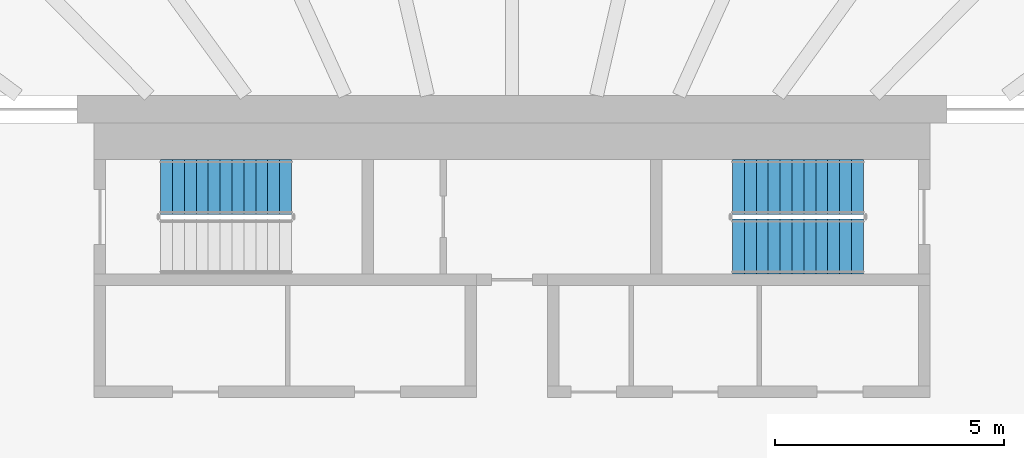
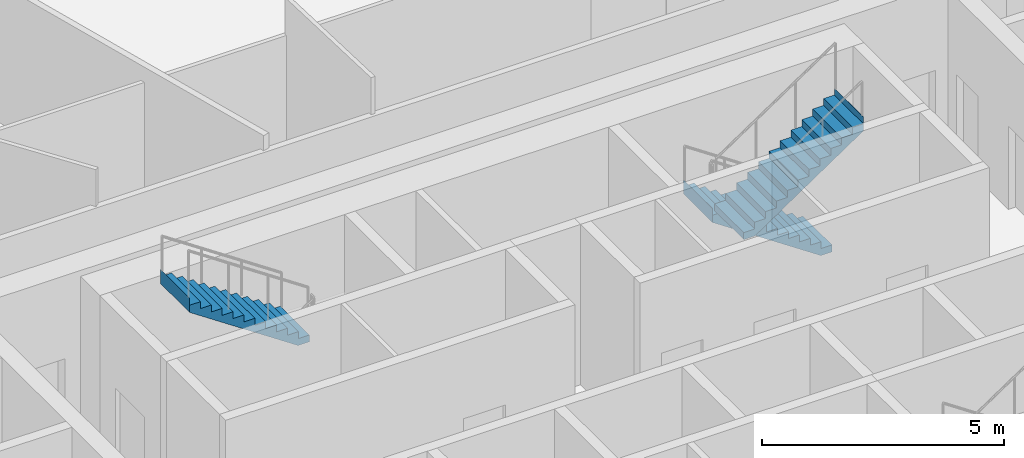
# One storey, part 19 of 25: 3 stair flights, 2 elements without a shape of their own.
"""IFC4 building model written with IfcOpenShell, lengths in metres."""

from ifc_helpers import new_model, si_unit, direction, frame, origin, place, context, subcontext, project, spatial, triangles, material, type_object, element, aggregate, save


model = new_model("IFC4")

# Units and contexts
model_context = context("Model", 3, precision=1e-05, world=origin(), true_north=direction((0.0, 1.0)))
body_context = subcontext(model_context, "Body", "Model", "MODEL_VIEW")
ifc_project = project(units=[si_unit("LENGTHUNIT", "METRE"), si_unit("AREAUNIT", "SQUARE_METRE"), si_unit("VOLUMEUNIT", "CUBIC_METRE"), si_unit("PLANEANGLEUNIT", "RADIAN"), si_unit("MASSUNIT", "GRAM", prefix="KILO")], contexts=[model_context])

# Site, building, storey
site_placement = place(None, origin())
site = spatial("IfcSite", under=ifc_project, at=site_placement, CompositionType="ELEMENT")
building_placement = place(site_placement, origin())
building = spatial("IfcBuilding", under=site, at=building_placement, Name="Sahrelin Media Tower", CompositionType="ELEMENT")
storey_placement = place(building_placement, frame((0.0, 0.0, 106.199951171875)))
storey = spatial("IfcBuildingStorey", under=building, at=storey_placement, Name="L20", CompositionType="ELEMENT", Elevation=106.199951171875)

# Stair, stair flight
ifc_material = material(Name="Concrete C40/50", Category="concrete")
stair_type = type_object("IfcStairType", Name="Exit stair 1200", PredefinedType="HALF_TURN_STAIR", material=ifc_material)
placement = place(storey_placement, origin())
stair_1 = element("IfcStair", 1, at=placement, inside=storey, type_object=stair_type, Name="L20 Exit stair ST1", PredefinedType="HALF_TURN_STAIR")
stair_flight_type = type_object("IfcStairFlightType", Name="Stair flight 1200", PredefinedType="STRAIGHT", material=ifc_material)
stair_flight_1_placement = place(storey_placement, frame((-4.81494140625, 6.0, 2.10009765625), z_axis=(0.0, 0.0, 1.0), x_axis=(-1.0, 0.0, 0.0)))
stair_flight_1 = element("IfcStairFlight", 2, at=stair_flight_1_placement, type_object=stair_flight_type, Name="ST1 flight 2", NumberOfRisers=12, NumberOfTreads=11, PredefinedType="STRAIGHT", RiserHeight=0.175, TreadLength=0.26, context=body_context, shape_type="Tessellation", body=[
    triangles([(0.2685546875, 0.60009765625, 0.0), (0.2685546875, 0.300048828125, 0.0), (0.2685546875, 0.0, 0.0), (0.2685546875, -0.300048828125, 0.0), (0.2685546875, -0.60009765625, 0.0), (2.860107421875, 0.60009765625, 1.744384765625), (2.860107421875, 0.300048828125, 1.744384765625), (2.860107421875, 0.0, 1.744384765625), (2.860107421875, -0.300048828125, 1.744384765625), (2.860107421875, -0.60009765625, 1.744384765625), (2.860107421875, 0.60009765625, 2.10009765625), (2.860107421875, 0.300048828125, 2.10009765625), (2.860107421875, 0.0, 2.10009765625), (2.860107421875, -0.300048828125, 2.10009765625), (2.860107421875, -0.60009765625, 2.10009765625), (2.85791015625, 0.60009765625, 2.10009765625), (2.85791015625, 0.300048828125, 2.10009765625), (2.85791015625, 0.0, 2.10009765625), (2.85791015625, -0.300048828125, 2.10009765625), (2.85791015625, -0.60009765625, 2.10009765625), (2.85791015625, 0.60009765625, 1.925048828125), (2.85791015625, 0.300048828125, 1.925048828125), (2.85791015625, 0.0, 1.925048828125), (2.85791015625, -0.300048828125, 1.925048828125), (2.85791015625, -0.60009765625, 1.925048828125), (2.60009765625, 0.60009765625, 1.925048828125), (2.60009765625, 0.300048828125, 1.925048828125), (2.60009765625, 0.0, 1.925048828125), (2.60009765625, -0.300048828125, 1.925048828125), (2.60009765625, -0.60009765625, 1.925048828125), (2.60009765625, 0.60009765625, 1.75), (2.60009765625, 0.300048828125, 1.75), (2.60009765625, 0.0, 1.75), (2.60009765625, -0.300048828125, 1.75), (2.60009765625, -0.60009765625, 1.75), (2.340087890625, 0.60009765625, 1.75), (2.340087890625, 0.300048828125, 1.75), (2.340087890625, 0.0, 1.75), (2.340087890625, -0.300048828125, 1.75), (2.340087890625, -0.60009765625, 1.75), (2.340087890625, 0.60009765625, 1.574951171875), (2.340087890625, 0.300048828125, 1.574951171875), (2.340087890625, 0.0, 1.574951171875), (2.340087890625, -0.300048828125, 1.574951171875), (2.340087890625, -0.60009765625, 1.574951171875), (2.080078125, 0.60009765625, 1.574951171875), (2.080078125, 0.300048828125, 1.574951171875), (2.080078125, 0.0, 1.574951171875), (2.080078125, -0.300048828125, 1.574951171875), (2.080078125, -0.60009765625, 1.574951171875), (2.080078125, 0.60009765625, 1.39990234375), (2.080078125, 0.300048828125, 1.39990234375), (2.080078125, 0.0, 1.39990234375), (2.080078125, -0.300048828125, 1.39990234375), (2.080078125, -0.60009765625, 1.39990234375), (1.820068359375, 0.60009765625, 1.39990234375), (1.820068359375, 0.300048828125, 1.39990234375), (1.820068359375, 0.0, 1.39990234375), (1.820068359375, -0.300048828125, 1.39990234375), (1.820068359375, -0.60009765625, 1.39990234375), (1.820068359375, 0.60009765625, 1.22509765625), (1.820068359375, 0.300048828125, 1.22509765625), (1.820068359375, 0.0, 1.22509765625), (1.820068359375, -0.300048828125, 1.22509765625), (1.820068359375, -0.60009765625, 1.22509765625), (1.56005859375, 0.60009765625, 1.22509765625), (1.56005859375, 0.300048828125, 1.22509765625), (1.56005859375, 0.0, 1.22509765625), (1.56005859375, -0.300048828125, 1.22509765625), (1.56005859375, -0.60009765625, 1.22509765625), (1.56005859375, 0.60009765625, 1.050048828125), (1.56005859375, 0.300048828125, 1.050048828125), (1.56005859375, 0.0, 1.050048828125), (1.56005859375, -0.300048828125, 1.050048828125), (1.56005859375, -0.60009765625, 1.050048828125), (1.300048828125, 0.60009765625, 1.050048828125), (1.300048828125, 0.300048828125, 1.050048828125), (1.300048828125, 0.0, 1.050048828125), (1.300048828125, -0.300048828125, 1.050048828125), (1.300048828125, -0.60009765625, 1.050048828125), (1.300048828125, 0.60009765625, 0.875), (1.300048828125, 0.300048828125, 0.875), (1.300048828125, 0.0, 0.875), (1.300048828125, -0.300048828125, 0.875), (1.300048828125, -0.60009765625, 0.875), (1.0400390625, 0.60009765625, 0.875), (1.0400390625, 0.300048828125, 0.875), (1.0400390625, 0.0, 0.875), (1.0400390625, -0.300048828125, 0.875), (1.0400390625, -0.60009765625, 0.875), (1.0400390625, 0.60009765625, 0.699951171875), (1.0400390625, 0.300048828125, 0.699951171875), (1.0400390625, 0.0, 0.699951171875), (1.0400390625, -0.300048828125, 0.699951171875), (1.0400390625, -0.60009765625, 0.699951171875), (0.780029296875, 0.60009765625, 0.699951171875), (0.780029296875, 0.300048828125, 0.699951171875), (0.780029296875, 0.0, 0.699951171875), (0.780029296875, -0.300048828125, 0.699951171875), (0.780029296875, -0.60009765625, 0.699951171875), (0.780029296875, 0.60009765625, 0.52490234375), (0.780029296875, 0.300048828125, 0.52490234375), (0.780029296875, 0.0, 0.52490234375), (0.780029296875, -0.300048828125, 0.52490234375), (0.780029296875, -0.60009765625, 0.52490234375), (0.52001953125, 0.60009765625, 0.52490234375), (0.52001953125, 0.300048828125, 0.52490234375), (0.52001953125, 0.0, 0.52490234375), (0.52001953125, -0.300048828125, 0.52490234375), (0.52001953125, -0.60009765625, 0.52490234375), (0.52001953125, 0.60009765625, 0.35009765625), (0.52001953125, 0.300048828125, 0.35009765625), (0.52001953125, 0.0, 0.35009765625), (0.52001953125, -0.300048828125, 0.35009765625), (0.52001953125, -0.60009765625, 0.35009765625), (0.260009765625, 0.60009765625, 0.35009765625), (0.260009765625, 0.300048828125, 0.35009765625), (0.260009765625, 0.0, 0.35009765625), (0.260009765625, -0.300048828125, 0.35009765625), (0.260009765625, -0.60009765625, 0.35009765625), (0.260009765625, 0.60009765625, 0.175048828125), (0.260009765625, 0.300048828125, 0.175048828125), (0.260009765625, 0.0, 0.175048828125), (0.260009765625, -0.300048828125, 0.175048828125), (0.260009765625, -0.60009765625, 0.175048828125), (0.0, 0.60009765625, 0.175048828125), (0.0, 0.300048828125, 0.175048828125), (0.0, 0.0, 0.175048828125), (0.0, -0.300048828125, 0.175048828125), (0.0, -0.60009765625, 0.175048828125), (0.0, 0.60009765625, 0.0), (0.0, 0.300048828125, 0.0), (0.0, 0.0, 0.0), (0.0, -0.300048828125, 0.0), (0.0, -0.60009765625, 0.0)], [[1, 6, 7], [1, 7, 2], [2, 7, 8], [2, 8, 3], [3, 8, 9], [3, 9, 4], [4, 9, 10], [4, 10, 5], [6, 11, 12], [6, 12, 7], [7, 12, 13], [7, 13, 8], [8, 13, 14], [8, 14, 9], [9, 14, 15], [9, 15, 10], [11, 16, 17], [11, 17, 12], [12, 17, 18], [12, 18, 13], [13, 18, 19], [13, 19, 14], [14, 19, 20], [14, 20, 15], [16, 21, 22], [16, 22, 17], [17, 22, 23], [17, 23, 18], [18, 23, 24], [18, 24, 19], [19, 24, 25], [19, 25, 20], [21, 26, 27], [21, 27, 22], [22, 27, 28], [22, 28, 23], [23, 28, 29], [23, 29, 24], [24, 29, 30], [24, 30, 25], [26, 31, 32], [26, 32, 27], [27, 32, 33], [27, 33, 28], [28, 33, 34], [28, 34, 29], [29, 34, 35], [29, 35, 30], [31, 36, 37], [31, 37, 32], [32, 37, 38], [32, 38, 33], [33, 38, 39], [33, 39, 34], [34, 39, 40], [34, 40, 35], [36, 41, 42], [36, 42, 37], [37, 42, 43], [37, 43, 38], [38, 43, 44], [38, 44, 39], [39, 44, 45], [39, 45, 40], [41, 46, 47], [41, 47, 42], [42, 47, 48], [42, 48, 43], [43, 48, 49], [43, 49, 44], [44, 49, 50], [44, 50, 45], [46, 51, 52], [46, 52, 47], [47, 52, 53], [47, 53, 48], [48, 53, 54], [48, 54, 49], [49, 54, 55], [49, 55, 50], [51, 56, 57], [51, 57, 52], [52, 57, 58], [52, 58, 53], [53, 58, 59], [53, 59, 54], [54, 59, 60], [54, 60, 55], [56, 61, 62], [56, 62, 57], [57, 62, 63], [57, 63, 58], [58, 63, 64], [58, 64, 59], [59, 64, 65], [59, 65, 60], [61, 66, 67], [61, 67, 62], [62, 67, 68], [62, 68, 63], [63, 68, 69], [63, 69, 64], [64, 69, 70], [64, 70, 65], [66, 71, 72], [66, 72, 67], [67, 72, 73], [67, 73, 68], [68, 73, 74], [68, 74, 69], [69, 74, 75], [69, 75, 70], [71, 76, 77], [71, 77, 72], [72, 77, 78], [72, 78, 73], [73, 78, 79], [73, 79, 74], [74, 79, 80], [74, 80, 75], [76, 81, 82], [76, 82, 77], [77, 82, 83], [77, 83, 78], [78, 83, 84], [78, 84, 79], [79, 84, 85], [79, 85, 80], [81, 86, 87], [81, 87, 82], [82, 87, 88], [82, 88, 83], [83, 88, 89], [83, 89, 84], [84, 89, 90], [84, 90, 85], [86, 91, 92], [86, 92, 87], [87, 92, 93], [87, 93, 88], [88, 93, 94], [88, 94, 89], [89, 94, 95], [89, 95, 90], [91, 96, 97], [91, 97, 92], [92, 97, 98], [92, 98, 93], [93, 98, 99], [93, 99, 94], [94, 99, 100], [94, 100, 95], [96, 101, 102], [96, 102, 97], [97, 102, 103], [97, 103, 98], [98, 103, 104], [98, 104, 99], [99, 104, 105], [99, 105, 100], [101, 106, 107], [101, 107, 102], [102, 107, 108], [102, 108, 103], [103, 108, 109], [103, 109, 104], [104, 109, 110], [104, 110, 105], [106, 111, 112], [106, 112, 107], [107, 112, 113], [107, 113, 108], [108, 113, 114], [108, 114, 109], [109, 114, 115], [109, 115, 110], [111, 116, 117], [111, 117, 112], [112, 117, 118], [112, 118, 113], [113, 118, 119], [113, 119, 114], [114, 119, 120], [114, 120, 115], [116, 121, 122], [116, 122, 117], [117, 122, 123], [117, 123, 118], [118, 123, 124], [118, 124, 119], [119, 124, 125], [119, 125, 120], [121, 126, 127], [121, 127, 122], [122, 127, 128], [122, 128, 123], [123, 128, 129], [123, 129, 124], [124, 129, 130], [124, 130, 125], [126, 131, 132], [126, 132, 127], [127, 132, 133], [127, 133, 128], [128, 133, 134], [128, 134, 129], [129, 134, 135], [129, 135, 130], [131, 1, 2], [131, 2, 132], [132, 2, 3], [132, 3, 133], [133, 3, 4], [133, 4, 134], [134, 4, 5], [134, 5, 135], [125, 130, 135], [121, 131, 126], [125, 115, 120], [121, 116, 111], [115, 105, 110], [111, 106, 101], [105, 95, 100], [101, 96, 91], [95, 85, 90], [91, 86, 81], [85, 75, 80], [81, 76, 71], [75, 65, 70], [71, 66, 61], [65, 55, 60], [61, 56, 51], [55, 45, 50], [51, 46, 41], [45, 35, 40], [41, 36, 31], [35, 25, 30], [31, 26, 21], [25, 15, 20], [21, 16, 11], [135, 5, 125], [131, 121, 1], [95, 105, 5], [91, 1, 101], [5, 10, 75], [1, 71, 6], [10, 35, 45], [6, 41, 31], [25, 10, 15], [21, 11, 6], [115, 125, 5], [111, 1, 121], [75, 85, 5], [71, 1, 81], [35, 10, 25], [31, 21, 6], [105, 115, 5], [101, 1, 111], [45, 55, 10], [41, 6, 51], [85, 95, 5], [81, 1, 91], [65, 10, 55], [61, 51, 6], [10, 65, 75], [6, 71, 61]], closed=True),
])
aggregate(stair_1, [stair_flight_1])

# Stair, stair flights
stair_2 = element("IfcStair", 3, at=placement, inside=storey, type_object=stair_type, Name="L20 Exit stair ST3", PredefinedType="HALF_TURN_STAIR")
stair_flight_2_placement = place(storey_placement, frame((7.675048828125, 6.0, 0.0), z_axis=(0.0, 0.0, 1.0), x_axis=(-1.0, 0.0, 0.0)))
stair_flight_2 = element("IfcStairFlight", 4, at=stair_flight_2_placement, type_object=stair_flight_type, Name="ST3 flight 1", NumberOfRisers=12, NumberOfTreads=11, PredefinedType="STRAIGHT", RiserHeight=0.175, TreadLength=0.26, context=body_context, shape_type="Tessellation", body=[
    triangles([(0.2685546875, 0.60009765625, 0.0), (0.2685546875, 0.300048828125, 0.0), (0.2685546875, 0.0, 0.0), (0.2685546875, -0.300048828125, 0.0), (0.2685546875, -0.60009765625, 0.0), (2.860107421875, 0.60009765625, 1.744384765625), (2.860107421875, 0.300048828125, 1.744384765625), (2.860107421875, 0.0, 1.744384765625), (2.860107421875, -0.300048828125, 1.744384765625), (2.860107421875, -0.60009765625, 1.744384765625), (2.860107421875, 0.60009765625, 2.10009765625), (2.860107421875, 0.300048828125, 2.10009765625), (2.860107421875, 0.0, 2.10009765625), (2.860107421875, -0.300048828125, 2.10009765625), (2.860107421875, -0.60009765625, 2.10009765625), (2.85791015625, 0.60009765625, 2.10009765625), (2.85791015625, 0.300048828125, 2.10009765625), (2.85791015625, 0.0, 2.10009765625), (2.85791015625, -0.300048828125, 2.10009765625), (2.85791015625, -0.60009765625, 2.10009765625), (2.85791015625, 0.60009765625, 1.925048828125), (2.85791015625, 0.300048828125, 1.925048828125), (2.85791015625, 0.0, 1.925048828125), (2.85791015625, -0.300048828125, 1.925048828125), (2.85791015625, -0.60009765625, 1.925048828125), (2.60009765625, 0.60009765625, 1.925048828125), (2.60009765625, 0.300048828125, 1.925048828125), (2.60009765625, 0.0, 1.925048828125), (2.60009765625, -0.300048828125, 1.925048828125), (2.60009765625, -0.60009765625, 1.925048828125), (2.60009765625, 0.60009765625, 1.75), (2.60009765625, 0.300048828125, 1.75), (2.60009765625, 0.0, 1.75), (2.60009765625, -0.300048828125, 1.75), (2.60009765625, -0.60009765625, 1.75), (2.340087890625, 0.60009765625, 1.75), (2.340087890625, 0.300048828125, 1.75), (2.340087890625, 0.0, 1.75), (2.340087890625, -0.300048828125, 1.75), (2.340087890625, -0.60009765625, 1.75), (2.340087890625, 0.60009765625, 1.574951171875), (2.340087890625, 0.300048828125, 1.574951171875), (2.340087890625, 0.0, 1.574951171875), (2.340087890625, -0.300048828125, 1.574951171875), (2.340087890625, -0.60009765625, 1.574951171875), (2.080078125, 0.60009765625, 1.574951171875), (2.080078125, 0.300048828125, 1.574951171875), (2.080078125, 0.0, 1.574951171875), (2.080078125, -0.300048828125, 1.574951171875), (2.080078125, -0.60009765625, 1.574951171875), (2.080078125, 0.60009765625, 1.39990234375), (2.080078125, 0.300048828125, 1.39990234375), (2.080078125, 0.0, 1.39990234375), (2.080078125, -0.300048828125, 1.39990234375), (2.080078125, -0.60009765625, 1.39990234375), (1.820068359375, 0.60009765625, 1.39990234375), (1.820068359375, 0.300048828125, 1.39990234375), (1.820068359375, 0.0, 1.39990234375), (1.820068359375, -0.300048828125, 1.39990234375), (1.820068359375, -0.60009765625, 1.39990234375), (1.820068359375, 0.60009765625, 1.22509765625), (1.820068359375, 0.300048828125, 1.22509765625), (1.820068359375, 0.0, 1.22509765625), (1.820068359375, -0.300048828125, 1.22509765625), (1.820068359375, -0.60009765625, 1.22509765625), (1.56005859375, 0.60009765625, 1.22509765625), (1.56005859375, 0.300048828125, 1.22509765625), (1.56005859375, 0.0, 1.22509765625), (1.56005859375, -0.300048828125, 1.22509765625), (1.56005859375, -0.60009765625, 1.22509765625), (1.56005859375, 0.60009765625, 1.050048828125), (1.56005859375, 0.300048828125, 1.050048828125), (1.56005859375, 0.0, 1.050048828125), (1.56005859375, -0.300048828125, 1.050048828125), (1.56005859375, -0.60009765625, 1.050048828125), (1.300048828125, 0.60009765625, 1.050048828125), (1.300048828125, 0.300048828125, 1.050048828125), (1.300048828125, 0.0, 1.050048828125), (1.300048828125, -0.300048828125, 1.050048828125), (1.300048828125, -0.60009765625, 1.050048828125), (1.300048828125, 0.60009765625, 0.875), (1.300048828125, 0.300048828125, 0.875), (1.300048828125, 0.0, 0.875), (1.300048828125, -0.300048828125, 0.875), (1.300048828125, -0.60009765625, 0.875), (1.0400390625, 0.60009765625, 0.875), (1.0400390625, 0.300048828125, 0.875), (1.0400390625, 0.0, 0.875), (1.0400390625, -0.300048828125, 0.875), (1.0400390625, -0.60009765625, 0.875), (1.0400390625, 0.60009765625, 0.699951171875), (1.0400390625, 0.300048828125, 0.699951171875), (1.0400390625, 0.0, 0.699951171875), (1.0400390625, -0.300048828125, 0.699951171875), (1.0400390625, -0.60009765625, 0.699951171875), (0.780029296875, 0.60009765625, 0.699951171875), (0.780029296875, 0.300048828125, 0.699951171875), (0.780029296875, 0.0, 0.699951171875), (0.780029296875, -0.300048828125, 0.699951171875), (0.780029296875, -0.60009765625, 0.699951171875), (0.780029296875, 0.60009765625, 0.52490234375), (0.780029296875, 0.300048828125, 0.52490234375), (0.780029296875, 0.0, 0.52490234375), (0.780029296875, -0.300048828125, 0.52490234375), (0.780029296875, -0.60009765625, 0.52490234375), (0.52001953125, 0.60009765625, 0.52490234375), (0.52001953125, 0.300048828125, 0.52490234375), (0.52001953125, 0.0, 0.52490234375), (0.52001953125, -0.300048828125, 0.52490234375), (0.52001953125, -0.60009765625, 0.52490234375), (0.52001953125, 0.60009765625, 0.35009765625), (0.52001953125, 0.300048828125, 0.35009765625), (0.52001953125, 0.0, 0.35009765625), (0.52001953125, -0.300048828125, 0.35009765625), (0.52001953125, -0.60009765625, 0.35009765625), (0.260009765625, 0.60009765625, 0.35009765625), (0.260009765625, 0.300048828125, 0.35009765625), (0.260009765625, 0.0, 0.35009765625), (0.260009765625, -0.300048828125, 0.35009765625), (0.260009765625, -0.60009765625, 0.35009765625), (0.260009765625, 0.60009765625, 0.175048828125), (0.260009765625, 0.300048828125, 0.175048828125), (0.260009765625, 0.0, 0.175048828125), (0.260009765625, -0.300048828125, 0.175048828125), (0.260009765625, -0.60009765625, 0.175048828125), (0.0, 0.60009765625, 0.175048828125), (0.0, 0.300048828125, 0.175048828125), (0.0, 0.0, 0.175048828125), (0.0, -0.300048828125, 0.175048828125), (0.0, -0.60009765625, 0.175048828125), (0.0, 0.60009765625, 0.0), (0.0, 0.300048828125, 0.0), (0.0, 0.0, 0.0), (0.0, -0.300048828125, 0.0), (0.0, -0.60009765625, 0.0)], [[1, 6, 7], [1, 7, 2], [2, 7, 8], [2, 8, 3], [3, 8, 9], [3, 9, 4], [4, 9, 10], [4, 10, 5], [6, 11, 12], [6, 12, 7], [7, 12, 13], [7, 13, 8], [8, 13, 14], [8, 14, 9], [9, 14, 15], [9, 15, 10], [11, 16, 17], [11, 17, 12], [12, 17, 18], [12, 18, 13], [13, 18, 19], [13, 19, 14], [14, 19, 20], [14, 20, 15], [16, 21, 22], [16, 22, 17], [17, 22, 23], [17, 23, 18], [18, 23, 24], [18, 24, 19], [19, 24, 25], [19, 25, 20], [21, 26, 27], [21, 27, 22], [22, 27, 28], [22, 28, 23], [23, 28, 29], [23, 29, 24], [24, 29, 30], [24, 30, 25], [26, 31, 32], [26, 32, 27], [27, 32, 33], [27, 33, 28], [28, 33, 34], [28, 34, 29], [29, 34, 35], [29, 35, 30], [31, 36, 37], [31, 37, 32], [32, 37, 38], [32, 38, 33], [33, 38, 39], [33, 39, 34], [34, 39, 40], [34, 40, 35], [36, 41, 42], [36, 42, 37], [37, 42, 43], [37, 43, 38], [38, 43, 44], [38, 44, 39], [39, 44, 45], [39, 45, 40], [41, 46, 47], [41, 47, 42], [42, 47, 48], [42, 48, 43], [43, 48, 49], [43, 49, 44], [44, 49, 50], [44, 50, 45], [46, 51, 52], [46, 52, 47], [47, 52, 53], [47, 53, 48], [48, 53, 54], [48, 54, 49], [49, 54, 55], [49, 55, 50], [51, 56, 57], [51, 57, 52], [52, 57, 58], [52, 58, 53], [53, 58, 59], [53, 59, 54], [54, 59, 60], [54, 60, 55], [56, 61, 62], [56, 62, 57], [57, 62, 63], [57, 63, 58], [58, 63, 64], [58, 64, 59], [59, 64, 65], [59, 65, 60], [61, 66, 67], [61, 67, 62], [62, 67, 68], [62, 68, 63], [63, 68, 69], [63, 69, 64], [64, 69, 70], [64, 70, 65], [66, 71, 72], [66, 72, 67], [67, 72, 73], [67, 73, 68], [68, 73, 74], [68, 74, 69], [69, 74, 75], [69, 75, 70], [71, 76, 77], [71, 77, 72], [72, 77, 78], [72, 78, 73], [73, 78, 79], [73, 79, 74], [74, 79, 80], [74, 80, 75], [76, 81, 82], [76, 82, 77], [77, 82, 83], [77, 83, 78], [78, 83, 84], [78, 84, 79], [79, 84, 85], [79, 85, 80], [81, 86, 87], [81, 87, 82], [82, 87, 88], [82, 88, 83], [83, 88, 89], [83, 89, 84], [84, 89, 90], [84, 90, 85], [86, 91, 92], [86, 92, 87], [87, 92, 93], [87, 93, 88], [88, 93, 94], [88, 94, 89], [89, 94, 95], [89, 95, 90], [91, 96, 97], [91, 97, 92], [92, 97, 98], [92, 98, 93], [93, 98, 99], [93, 99, 94], [94, 99, 100], [94, 100, 95], [96, 101, 102], [96, 102, 97], [97, 102, 103], [97, 103, 98], [98, 103, 104], [98, 104, 99], [99, 104, 105], [99, 105, 100], [101, 106, 107], [101, 107, 102], [102, 107, 108], [102, 108, 103], [103, 108, 109], [103, 109, 104], [104, 109, 110], [104, 110, 105], [106, 111, 112], [106, 112, 107], [107, 112, 113], [107, 113, 108], [108, 113, 114], [108, 114, 109], [109, 114, 115], [109, 115, 110], [111, 116, 117], [111, 117, 112], [112, 117, 118], [112, 118, 113], [113, 118, 119], [113, 119, 114], [114, 119, 120], [114, 120, 115], [116, 121, 122], [116, 122, 117], [117, 122, 123], [117, 123, 118], [118, 123, 124], [118, 124, 119], [119, 124, 125], [119, 125, 120], [121, 126, 127], [121, 127, 122], [122, 127, 128], [122, 128, 123], [123, 128, 129], [123, 129, 124], [124, 129, 130], [124, 130, 125], [126, 131, 132], [126, 132, 127], [127, 132, 133], [127, 133, 128], [128, 133, 134], [128, 134, 129], [129, 134, 135], [129, 135, 130], [131, 1, 2], [131, 2, 132], [132, 2, 3], [132, 3, 133], [133, 3, 4], [133, 4, 134], [134, 4, 5], [134, 5, 135], [125, 130, 135], [121, 131, 126], [125, 115, 120], [121, 116, 111], [115, 105, 110], [111, 106, 101], [105, 95, 100], [101, 96, 91], [95, 85, 90], [91, 86, 81], [85, 75, 80], [81, 76, 71], [75, 65, 70], [71, 66, 61], [65, 55, 60], [61, 56, 51], [55, 45, 50], [51, 46, 41], [45, 35, 40], [41, 36, 31], [35, 25, 30], [31, 26, 21], [25, 15, 20], [21, 16, 11], [135, 5, 125], [131, 121, 1], [95, 105, 5], [91, 1, 101], [5, 10, 75], [1, 71, 6], [10, 35, 45], [6, 41, 31], [25, 10, 15], [21, 11, 6], [115, 125, 5], [111, 1, 121], [75, 85, 5], [71, 1, 81], [35, 10, 25], [31, 21, 6], [105, 115, 5], [101, 1, 111], [45, 55, 10], [41, 6, 51], [85, 95, 5], [81, 1, 91], [65, 10, 55], [61, 51, 6], [10, 65, 75], [6, 71, 61]], closed=True),
])
stair_flight_3_placement = place(storey_placement, frame((4.81494140625, 4.699951171875, 2.10009765625), z_axis=(0.0, 0.0, 1.0), x_axis=(1.0, 0.0, 0.0)))
stair_flight_3 = element("IfcStairFlight", 5, at=stair_flight_3_placement, type_object=stair_flight_type, Name="ST3 flight 2", NumberOfRisers=12, NumberOfTreads=11, PredefinedType="STRAIGHT", RiserHeight=0.175, TreadLength=0.26, context=body_context, shape_type="Tessellation", body=[
    triangles([(0.2685546875, 0.60009765625, 0.0), (0.2685546875, 0.300048828125, 0.0), (0.2685546875, 0.0, 0.0), (0.2685546875, -0.300048828125, 0.0), (0.2685546875, -0.60009765625, 0.0), (2.860107421875, 0.60009765625, 1.744384765625), (2.860107421875, 0.300048828125, 1.744384765625), (2.860107421875, 0.0, 1.744384765625), (2.860107421875, -0.300048828125, 1.744384765625), (2.860107421875, -0.60009765625, 1.744384765625), (2.860107421875, 0.60009765625, 2.10009765625), (2.860107421875, 0.300048828125, 2.10009765625), (2.860107421875, 0.0, 2.10009765625), (2.860107421875, -0.300048828125, 2.10009765625), (2.860107421875, -0.60009765625, 2.10009765625), (2.85791015625, 0.60009765625, 2.10009765625), (2.85791015625, 0.300048828125, 2.10009765625), (2.85791015625, 0.0, 2.10009765625), (2.85791015625, -0.300048828125, 2.10009765625), (2.85791015625, -0.60009765625, 2.10009765625), (2.85791015625, 0.60009765625, 1.925048828125), (2.85791015625, 0.300048828125, 1.925048828125), (2.85791015625, 0.0, 1.925048828125), (2.85791015625, -0.300048828125, 1.925048828125), (2.85791015625, -0.60009765625, 1.925048828125), (2.60009765625, 0.60009765625, 1.925048828125), (2.60009765625, 0.300048828125, 1.925048828125), (2.60009765625, 0.0, 1.925048828125), (2.60009765625, -0.300048828125, 1.925048828125), (2.60009765625, -0.60009765625, 1.925048828125), (2.60009765625, 0.60009765625, 1.75), (2.60009765625, 0.300048828125, 1.75), (2.60009765625, 0.0, 1.75), (2.60009765625, -0.300048828125, 1.75), (2.60009765625, -0.60009765625, 1.75), (2.340087890625, 0.60009765625, 1.75), (2.340087890625, 0.300048828125, 1.75), (2.340087890625, 0.0, 1.75), (2.340087890625, -0.300048828125, 1.75), (2.340087890625, -0.60009765625, 1.75), (2.340087890625, 0.60009765625, 1.574951171875), (2.340087890625, 0.300048828125, 1.574951171875), (2.340087890625, 0.0, 1.574951171875), (2.340087890625, -0.300048828125, 1.574951171875), (2.340087890625, -0.60009765625, 1.574951171875), (2.080078125, 0.60009765625, 1.574951171875), (2.080078125, 0.300048828125, 1.574951171875), (2.080078125, 0.0, 1.574951171875), (2.080078125, -0.300048828125, 1.574951171875), (2.080078125, -0.60009765625, 1.574951171875), (2.080078125, 0.60009765625, 1.39990234375), (2.080078125, 0.300048828125, 1.39990234375), (2.080078125, 0.0, 1.39990234375), (2.080078125, -0.300048828125, 1.39990234375), (2.080078125, -0.60009765625, 1.39990234375), (1.820068359375, 0.60009765625, 1.39990234375), (1.820068359375, 0.300048828125, 1.39990234375), (1.820068359375, 0.0, 1.39990234375), (1.820068359375, -0.300048828125, 1.39990234375), (1.820068359375, -0.60009765625, 1.39990234375), (1.820068359375, 0.60009765625, 1.22509765625), (1.820068359375, 0.300048828125, 1.22509765625), (1.820068359375, 0.0, 1.22509765625), (1.820068359375, -0.300048828125, 1.22509765625), (1.820068359375, -0.60009765625, 1.22509765625), (1.56005859375, 0.60009765625, 1.22509765625), (1.56005859375, 0.300048828125, 1.22509765625), (1.56005859375, 0.0, 1.22509765625), (1.56005859375, -0.300048828125, 1.22509765625), (1.56005859375, -0.60009765625, 1.22509765625), (1.56005859375, 0.60009765625, 1.050048828125), (1.56005859375, 0.300048828125, 1.050048828125), (1.56005859375, 0.0, 1.050048828125), (1.56005859375, -0.300048828125, 1.050048828125), (1.56005859375, -0.60009765625, 1.050048828125), (1.300048828125, 0.60009765625, 1.050048828125), (1.300048828125, 0.300048828125, 1.050048828125), (1.300048828125, 0.0, 1.050048828125), (1.300048828125, -0.300048828125, 1.050048828125), (1.300048828125, -0.60009765625, 1.050048828125), (1.300048828125, 0.60009765625, 0.875), (1.300048828125, 0.300048828125, 0.875), (1.300048828125, 0.0, 0.875), (1.300048828125, -0.300048828125, 0.875), (1.300048828125, -0.60009765625, 0.875), (1.0400390625, 0.60009765625, 0.875), (1.0400390625, 0.300048828125, 0.875), (1.0400390625, 0.0, 0.875), (1.0400390625, -0.300048828125, 0.875), (1.0400390625, -0.60009765625, 0.875), (1.0400390625, 0.60009765625, 0.699951171875), (1.0400390625, 0.300048828125, 0.699951171875), (1.0400390625, 0.0, 0.699951171875), (1.0400390625, -0.300048828125, 0.699951171875), (1.0400390625, -0.60009765625, 0.699951171875), (0.780029296875, 0.60009765625, 0.699951171875), (0.780029296875, 0.300048828125, 0.699951171875), (0.780029296875, 0.0, 0.699951171875), (0.780029296875, -0.300048828125, 0.699951171875), (0.780029296875, -0.60009765625, 0.699951171875), (0.780029296875, 0.60009765625, 0.52490234375), (0.780029296875, 0.300048828125, 0.52490234375), (0.780029296875, 0.0, 0.52490234375), (0.780029296875, -0.300048828125, 0.52490234375), (0.780029296875, -0.60009765625, 0.52490234375), (0.52001953125, 0.60009765625, 0.52490234375), (0.52001953125, 0.300048828125, 0.52490234375), (0.52001953125, 0.0, 0.52490234375), (0.52001953125, -0.300048828125, 0.52490234375), (0.52001953125, -0.60009765625, 0.52490234375), (0.52001953125, 0.60009765625, 0.35009765625), (0.52001953125, 0.300048828125, 0.35009765625), (0.52001953125, 0.0, 0.35009765625), (0.52001953125, -0.300048828125, 0.35009765625), (0.52001953125, -0.60009765625, 0.35009765625), (0.260009765625, 0.60009765625, 0.35009765625), (0.260009765625, 0.300048828125, 0.35009765625), (0.260009765625, 0.0, 0.35009765625), (0.260009765625, -0.300048828125, 0.35009765625), (0.260009765625, -0.60009765625, 0.35009765625), (0.260009765625, 0.60009765625, 0.175048828125), (0.260009765625, 0.300048828125, 0.175048828125), (0.260009765625, 0.0, 0.175048828125), (0.260009765625, -0.300048828125, 0.175048828125), (0.260009765625, -0.60009765625, 0.175048828125), (0.0, 0.60009765625, 0.175048828125), (0.0, 0.300048828125, 0.175048828125), (0.0, 0.0, 0.175048828125), (0.0, -0.300048828125, 0.175048828125), (0.0, -0.60009765625, 0.175048828125), (0.0, 0.60009765625, 0.0), (0.0, 0.300048828125, 0.0), (0.0, 0.0, 0.0), (0.0, -0.300048828125, 0.0), (0.0, -0.60009765625, 0.0)], [[1, 6, 7], [1, 7, 2], [2, 7, 8], [2, 8, 3], [3, 8, 9], [3, 9, 4], [4, 9, 10], [4, 10, 5], [6, 11, 12], [6, 12, 7], [7, 12, 13], [7, 13, 8], [8, 13, 14], [8, 14, 9], [9, 14, 15], [9, 15, 10], [11, 16, 17], [11, 17, 12], [12, 17, 18], [12, 18, 13], [13, 18, 19], [13, 19, 14], [14, 19, 20], [14, 20, 15], [16, 21, 22], [16, 22, 17], [17, 22, 23], [17, 23, 18], [18, 23, 24], [18, 24, 19], [19, 24, 25], [19, 25, 20], [21, 26, 27], [21, 27, 22], [22, 27, 28], [22, 28, 23], [23, 28, 29], [23, 29, 24], [24, 29, 30], [24, 30, 25], [26, 31, 32], [26, 32, 27], [27, 32, 33], [27, 33, 28], [28, 33, 34], [28, 34, 29], [29, 34, 35], [29, 35, 30], [31, 36, 37], [31, 37, 32], [32, 37, 38], [32, 38, 33], [33, 38, 39], [33, 39, 34], [34, 39, 40], [34, 40, 35], [36, 41, 42], [36, 42, 37], [37, 42, 43], [37, 43, 38], [38, 43, 44], [38, 44, 39], [39, 44, 45], [39, 45, 40], [41, 46, 47], [41, 47, 42], [42, 47, 48], [42, 48, 43], [43, 48, 49], [43, 49, 44], [44, 49, 50], [44, 50, 45], [46, 51, 52], [46, 52, 47], [47, 52, 53], [47, 53, 48], [48, 53, 54], [48, 54, 49], [49, 54, 55], [49, 55, 50], [51, 56, 57], [51, 57, 52], [52, 57, 58], [52, 58, 53], [53, 58, 59], [53, 59, 54], [54, 59, 60], [54, 60, 55], [56, 61, 62], [56, 62, 57], [57, 62, 63], [57, 63, 58], [58, 63, 64], [58, 64, 59], [59, 64, 65], [59, 65, 60], [61, 66, 67], [61, 67, 62], [62, 67, 68], [62, 68, 63], [63, 68, 69], [63, 69, 64], [64, 69, 70], [64, 70, 65], [66, 71, 72], [66, 72, 67], [67, 72, 73], [67, 73, 68], [68, 73, 74], [68, 74, 69], [69, 74, 75], [69, 75, 70], [71, 76, 77], [71, 77, 72], [72, 77, 78], [72, 78, 73], [73, 78, 79], [73, 79, 74], [74, 79, 80], [74, 80, 75], [76, 81, 82], [76, 82, 77], [77, 82, 83], [77, 83, 78], [78, 83, 84], [78, 84, 79], [79, 84, 85], [79, 85, 80], [81, 86, 87], [81, 87, 82], [82, 87, 88], [82, 88, 83], [83, 88, 89], [83, 89, 84], [84, 89, 90], [84, 90, 85], [86, 91, 92], [86, 92, 87], [87, 92, 93], [87, 93, 88], [88, 93, 94], [88, 94, 89], [89, 94, 95], [89, 95, 90], [91, 96, 97], [91, 97, 92], [92, 97, 98], [92, 98, 93], [93, 98, 99], [93, 99, 94], [94, 99, 100], [94, 100, 95], [96, 101, 102], [96, 102, 97], [97, 102, 103], [97, 103, 98], [98, 103, 104], [98, 104, 99], [99, 104, 105], [99, 105, 100], [101, 106, 107], [101, 107, 102], [102, 107, 108], [102, 108, 103], [103, 108, 109], [103, 109, 104], [104, 109, 110], [104, 110, 105], [106, 111, 112], [106, 112, 107], [107, 112, 113], [107, 113, 108], [108, 113, 114], [108, 114, 109], [109, 114, 115], [109, 115, 110], [111, 116, 117], [111, 117, 112], [112, 117, 118], [112, 118, 113], [113, 118, 119], [113, 119, 114], [114, 119, 120], [114, 120, 115], [116, 121, 122], [116, 122, 117], [117, 122, 123], [117, 123, 118], [118, 123, 124], [118, 124, 119], [119, 124, 125], [119, 125, 120], [121, 126, 127], [121, 127, 122], [122, 127, 128], [122, 128, 123], [123, 128, 129], [123, 129, 124], [124, 129, 130], [124, 130, 125], [126, 131, 132], [126, 132, 127], [127, 132, 133], [127, 133, 128], [128, 133, 134], [128, 134, 129], [129, 134, 135], [129, 135, 130], [131, 1, 2], [131, 2, 132], [132, 2, 3], [132, 3, 133], [133, 3, 4], [133, 4, 134], [134, 4, 5], [134, 5, 135], [125, 130, 135], [121, 131, 126], [125, 115, 120], [121, 116, 111], [115, 105, 110], [111, 106, 101], [105, 95, 100], [101, 96, 91], [95, 85, 90], [91, 86, 81], [85, 75, 80], [81, 76, 71], [75, 65, 70], [71, 66, 61], [65, 55, 60], [61, 56, 51], [55, 45, 50], [51, 46, 41], [45, 35, 40], [41, 36, 31], [35, 25, 30], [31, 26, 21], [25, 15, 20], [21, 16, 11], [135, 5, 125], [131, 121, 1], [95, 105, 5], [91, 1, 101], [5, 10, 75], [1, 71, 6], [10, 35, 45], [6, 41, 31], [25, 10, 15], [21, 11, 6], [115, 125, 5], [111, 1, 121], [75, 85, 5], [71, 1, 81], [35, 10, 25], [31, 21, 6], [105, 115, 5], [101, 1, 111], [45, 55, 10], [41, 6, 51], [85, 95, 5], [81, 1, 91], [65, 10, 55], [61, 51, 6], [10, 65, 75], [6, 71, 61]], closed=True),
])
aggregate(stair_2, [stair_flight_2, stair_flight_3])

save(model, "model.ifc")
